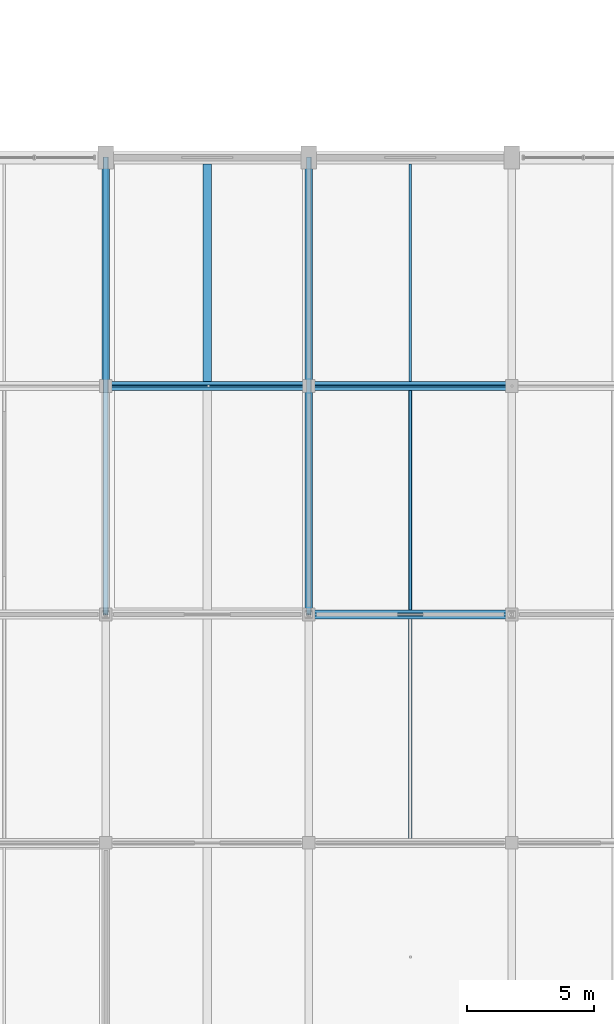
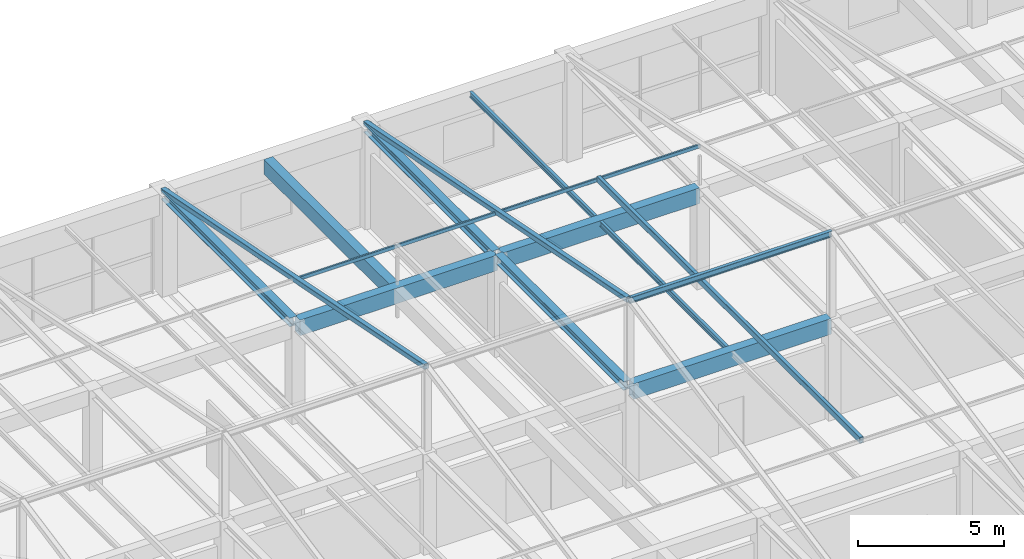
# One storey, part 15 of 65: 10 beams, 5 members.
"""IFC4 building model written with IfcOpenShell, lengths in metres."""

from ifc_helpers import new_model, si_unit, direction, frame, origin, origin_2d, place, context, subcontext, project, spatial, rectangle, hollow_rectangle, i_section, extrude, material, material_profile, profile_set, type_object, element, save


model = new_model("IFC4")

# Units and contexts
model_context = context("Model", 3, precision=1e-05, world=origin(), true_north=direction((0.0, 1.0)))
body_context = subcontext(model_context, "Body", "Model", "MODEL_VIEW")
ifc_project = project(units=[si_unit("LENGTHUNIT", "METRE"), si_unit("AREAUNIT", "SQUARE_METRE"), si_unit("VOLUMEUNIT", "CUBIC_METRE"), si_unit("PLANEANGLEUNIT", "RADIAN"), si_unit("MASSUNIT", "GRAM", prefix="KILO")], contexts=[model_context])

# Site, building, storey
site_placement = place(None, origin())
site = spatial("IfcSite", under=ifc_project, at=site_placement, CompositionType="ELEMENT")
building_placement = place(site_placement, origin())
building = spatial("IfcBuilding", under=site, at=building_placement, Name="Varnabhumi Central Station", CompositionType="ELEMENT")
storey_placement = place(building_placement, frame((0.0, 0.0, 24.60009765625)))
storey = spatial("IfcBuildingStorey", under=building, at=storey_placement, Name="L05", CompositionType="ELEMENT", Elevation=24.60009765625)

# Beams
ifc_material_1 = material(Name="Structural steel E350", Category="steel")
ifc_material_profile_1 = material_profile(ifc_material_1, i_section(OverallWidth=0.125, OverallDepth=0.25, WebThickness=0.0068359375, FlangeThickness=0.012451171875, FilletRadius=0.012939453125, at=origin_2d()), Name="Structural steel E350", Category="steel")
ifc_profile_set_1 = profile_set([ifc_material_profile_1], Name="Structural steel E350")
beam_type_1 = type_object("IfcBeamType", Name="BM-PUR-ISMB250", PredefinedType="JOIST", material=ifc_profile_set_1)
beam_1_placement = place(storey_placement, frame((72.0, 18.0, 7.6298828125), z_axis=(1.0, 0.0, 0.0), x_axis=(0.0, 1.0, 0.0)))
element("IfcBeam", 1, at=beam_1_placement, inside=storey, type_object=beam_type_1, Name="Mission Roof Ridge Beam SW6E-6", PredefinedType="JOIST", context=body_context, shape_type="SweptSolid", body=[
    extrude(i_section(OverallWidth=0.125, OverallDepth=0.25, WebThickness=0.0068359375, FlangeThickness=0.012451171875, FilletRadius=0.012939453125, at=origin_2d()), origin(), (0.0, 0.0, 1.0), 8.0),
])
ifc_material_2 = material(Name="Concrete M40", Category="concrete")
ifc_material_profile_2 = material_profile(ifc_material_2, rectangle(XDim=0.35009765625, YDim=0.64990234375, at=origin_2d()), Name="Concrete M40", Category="concrete")
ifc_profile_set_2 = profile_set([ifc_material_profile_2], Name="Concrete M40")
beam_type_2 = type_object("IfcBeamType", Name="BM-RC-350x650", PredefinedType="BEAM", material=ifc_profile_set_2)
for number, where, z_axis, x_axis, name in (
    (2, (64.10009765625, 27.0, 3.875), (1.0, 0.0, 0.0), (0.0, 1.0, 0.0), "Beam L05-D:9-10"),
    (3, (72.10009765625, 18.0, 3.875), (1.0, 0.0, 0.0), (0.0, 1.0, 0.0), "Beam L05-C:10-11"),
    (4, (72.10009765625, 27.0, 3.875), (1.0, 0.0, 0.0), (0.0, 1.0, 0.0), "Beam L05-D:10-11"),
):
    element("IfcBeam", number, at=place(storey_placement, frame(where, z_axis=z_axis, x_axis=x_axis)), inside=storey, type_object=beam_type_2, Name=name, PredefinedType="BEAM", context=body_context, shape_type="SweptSolid", body=[
        extrude(rectangle(XDim=0.35009765625, YDim=0.64990234375, at=origin_2d()), origin(), (0.0, 0.0, 1.0), 7.7998046875),
    ])
ifc_material_profile_3 = material_profile(ifc_material_2, rectangle(XDim=0.35009765625, YDim=0.60009765625, at=origin_2d()), Name="Concrete M40", Category="concrete")
ifc_profile_set_3 = profile_set([ifc_material_profile_3], Name="Concrete M40")
beam_type_3 = type_object("IfcBeamType", Name="BM-RC-600x350", PredefinedType="JOIST", material=ifc_profile_set_3)
beam_2_placement = place(storey_placement, frame((68.0, 27.175048828125, 3.89990234375), z_axis=(0.0, 1.0, 0.0), x_axis=(-1.0, 0.0, 0.0)))
element("IfcBeam", 5, at=beam_2_placement, inside=storey, type_object=beam_type_3, Name="Secondary Joist L05-9/10:D-E", PredefinedType="JOIST", context=body_context, shape_type="SweptSolid", body=[
    extrude(rectangle(XDim=0.35009765625, YDim=0.60009765625, at=origin_2d()), origin(), (0.0, 0.0, 1.0), 8.574951171875),
])
ifc_material_profile_4 = material_profile(ifc_material_1, i_section(OverallWidth=0.110107421875, OverallDepth=0.22509765625, WebThickness=0.006591796875, FlangeThickness=0.01171875, FilletRadius=0.011962890625, at=origin_2d()), Name="Structural steel E350", Category="steel")
ifc_profile_set_4 = profile_set([ifc_material_profile_4], Name="Structural steel E350")
beam_type_4 = type_object("IfcBeamType", Name="BM-STL-ISMB225", PredefinedType="JOIST", material=ifc_profile_set_4)
beam_3_placement = place(storey_placement, frame((76.0, 18.175048828125, 4.08740234375), z_axis=(0.0, 1.0, 0.0), x_axis=(-1.0, 0.0, 0.0)))
element("IfcBeam", 6, at=beam_3_placement, inside=storey, type_object=beam_type_4, Name="Secondary Joist L05-10/11:C-D", PredefinedType="JOIST", context=body_context, shape_type="SweptSolid", body=[
    extrude(i_section(OverallWidth=0.110107421875, OverallDepth=0.22509765625, WebThickness=0.006591796875, FlangeThickness=0.01171875, FilletRadius=0.011962890625, at=origin_2d()), origin(), (0.0, 0.0, 1.0), 8.64990234375),
])
beam_4_placement = place(storey_placement, frame((76.0, 27.175048828125, 4.08740234375), z_axis=(0.0, 1.0, 0.0), x_axis=(-1.0, 0.0, 0.0)))
element("IfcBeam", 7, at=beam_4_placement, inside=storey, type_object=beam_type_4, Name="Secondary Joist L05-10/11:D-E", PredefinedType="JOIST", context=body_context, shape_type="SweptSolid", body=[
    extrude(i_section(OverallWidth=0.110107421875, OverallDepth=0.22509765625, WebThickness=0.006591796875, FlangeThickness=0.01171875, FilletRadius=0.011962890625, at=origin_2d()), origin(), (0.0, 0.0, 1.0), 8.574951171875),
])
ifc_material_profile_5 = material_profile(ifc_material_1, i_section(OverallWidth=0.300048828125, OverallDepth=0.360107421875, WebThickness=0.012451171875, FlangeThickness=0.0224609375, FilletRadius=0.027099609375, at=origin_2d()), Name="Structural steel E350", Category="steel")
ifc_profile_set_5 = profile_set([ifc_material_profile_5], Name="Structural steel E350")
beam_type_5 = type_object("IfcBeamType", Name="BM-STL-WPB360", PredefinedType="BEAM", material=ifc_profile_set_5)
for number, where, z_axis, x_axis, name in (
    (8, (72.0, 18.10009765625, 4.02001953125), (0.0, 1.0, 0.0), (-1.0, 0.0, 0.0), "Beam L05-10:C-D"),
    (9, (64.0, 27.10009765625, 4.02001953125), (0.0, 1.0, 0.0), (-1.0, 0.0, 0.0), "Beam L05-9:D-E"),
    (10, (72.0, 27.10009765625, 4.02001953125), (0.0, 1.0, 0.0), (-1.0, 0.0, 0.0), "Beam L05-10:D-E"),
):
    element("IfcBeam", number, at=place(storey_placement, frame(where, z_axis=z_axis, x_axis=x_axis)), inside=storey, type_object=beam_type_5, Name=name, PredefinedType="BEAM", context=body_context, shape_type="SweptSolid", body=[
        extrude(i_section(OverallWidth=0.300048828125, OverallDepth=0.360107421875, WebThickness=0.012451171875, FlangeThickness=0.0224609375, FilletRadius=0.027099609375, at=origin_2d()), origin(), (0.0, 0.0, 1.0), 8.7998046875),
    ])

# Members
ifc_material_profile_6 = material_profile(ifc_material_1, hollow_rectangle(XDim=0.14990234375, YDim=0.25, WallThickness=0.010009765625, InnerFilletRadius=0.010009765625, OuterFilletRadius=0.02001953125, at=origin_2d()), Name="Structural steel E350", Category="steel")
ifc_profile_set_6 = profile_set([ifc_material_profile_6], Name="Structural steel E350")
member_type_1 = type_object("IfcMemberType", Name="MBR-COLLAR-RHS", PredefinedType="COLLAR", material=ifc_profile_set_6)
member_placement = place(storey_placement, frame((76.0, 9.0, 5.844970703125), z_axis=(0.0, 1.0, 0.0), x_axis=(-1.0, 0.0, 0.0)))
element("IfcMember", 11, at=member_placement, inside=storey, type_object=member_type_1, Name="Mission Roof Collar Tie SW6E-6", PredefinedType="COLLAR", context=body_context, shape_type="SweptSolid", body=[
    extrude(hollow_rectangle(XDim=0.14990234375, YDim=0.25, WallThickness=0.010009765625, InnerFilletRadius=0.010009765625, OuterFilletRadius=0.02001953125, at=origin_2d()), origin(), (0.0, 0.0, 1.0), 18.0),
])
ifc_material_profile_7 = material_profile(ifc_material_1, hollow_rectangle(XDim=0.074951171875, YDim=0.14990234375, WallThickness=0.006103515625, InnerFilletRadius=0.006103515625, OuterFilletRadius=0.011962890625, at=origin_2d()), Name="Structural steel E350", Category="steel")
ifc_profile_set_7 = profile_set([ifc_material_profile_7], Name="Structural steel E350")
member_type_2 = type_object("IfcMemberType", Name="MBR-PURL-RHS150", PredefinedType="PURLIN", material=ifc_profile_set_7)
for number, where, z_axis, x_axis, name in (
    (12, (64.0, 27.0, 5.824951171875), (1.0, 0.0, 0.0), (0.0, 1.0, 0.0), "Mission Roof Purlin SW6E-5-N"),
    (13, (72.0, 27.0, 5.824951171875), (1.0, 0.0, 0.0), (0.0, 1.0, 0.0), "Mission Roof Purlin SW6E-6-N"),
):
    element("IfcMember", number, at=place(storey_placement, frame(where, z_axis=z_axis, x_axis=x_axis)), inside=storey, type_object=member_type_2, Name=name, PredefinedType="PURLIN", context=body_context, shape_type="SweptSolid", body=[
        extrude(hollow_rectangle(XDim=0.074951171875, YDim=0.14990234375, WallThickness=0.006103515625, InnerFilletRadius=0.006103515625, OuterFilletRadius=0.011962890625, at=origin_2d()), origin(), (0.0, 0.0, 1.0), 8.0),
    ])
ifc_material_profile_8 = material_profile(ifc_material_1, hollow_rectangle(XDim=0.199951171875, YDim=0.199951171875, WallThickness=0.010009765625, InnerFilletRadius=0.010009765625, OuterFilletRadius=0.02001953125, at=origin_2d()), Name="Structural steel E350", Category="steel")
ifc_profile_set_8 = profile_set([ifc_material_profile_8], Name="Structural steel E350")
member_type_3 = type_object("IfcMemberType", Name="MBR-RAFT-SHS200", PredefinedType="RAFTER", material=ifc_profile_set_8)
for number, where, z_axis, x_axis, name in (
    (14, (64.0, 36.0, 4.10986328125), (0.0, -0.981100761594, 0.193497533832), (1.0, 0.0, 0.0), "Mission Roof North Rafter SW6E-5"),
    (15, (72.0, 36.0, 4.10986328125), (0.0, -0.981100761594, 0.193497533832), (1.0, 0.0, 0.0), "Mission Roof North Rafter SW6E-6"),
):
    element("IfcMember", number, at=place(storey_placement, frame(where, z_axis=z_axis, x_axis=x_axis)), inside=storey, type_object=member_type_3, Name=name, PredefinedType="RAFTER", context=body_context, shape_type="SweptSolid", body=[
        extrude(hollow_rectangle(XDim=0.199951171875, YDim=0.199951171875, WallThickness=0.010009765625, InnerFilletRadius=0.010009765625, OuterFilletRadius=0.02001953125, at=origin_2d()), origin(), (0.0, 0.0, 1.0), 18.3466796875),
    ])

save(model, "model.ifc")
